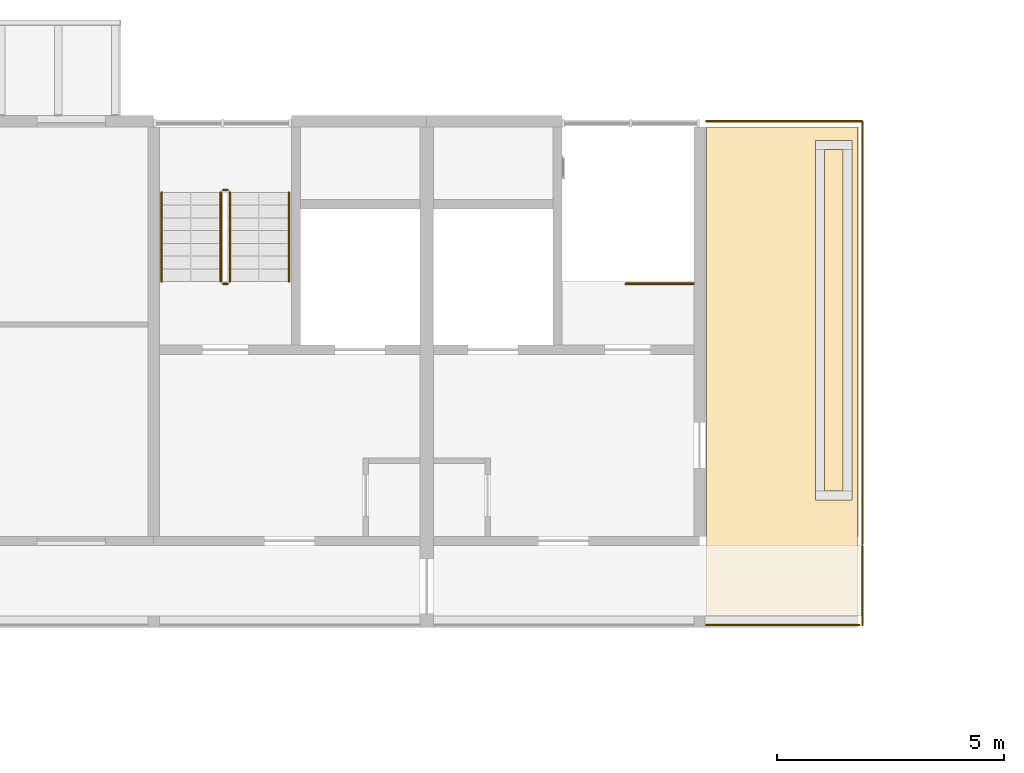
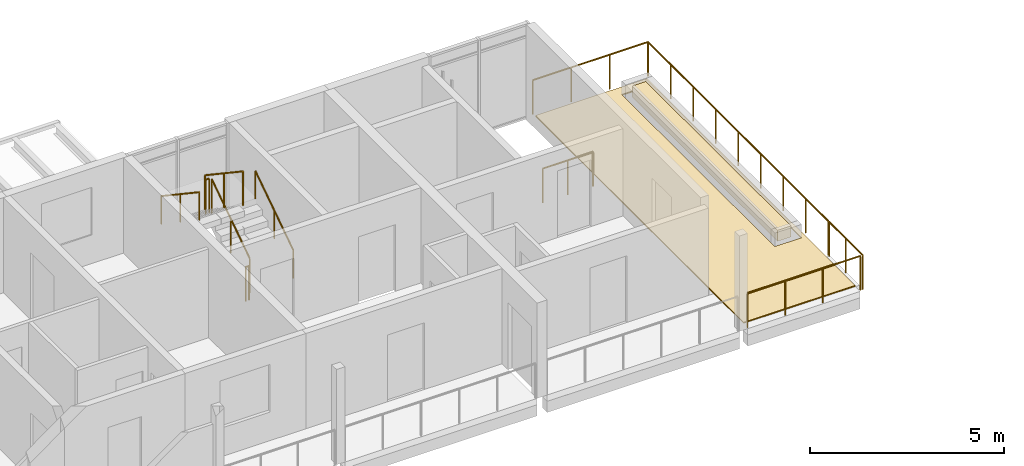
# One storey, part 85 of 87: 10 railings, 3 coverings.
"""IFC4 building model written with IfcOpenShell, lengths in metres."""

from ifc_helpers import new_model, si_unit, direction, frame, origin, origin_2d, place, context, subcontext, project, spatial, polyline, circle, outline, extrude, material, layer, layer_set, type_object, element, save


model = new_model("IFC4")

# Units and contexts
model_context = context("Model", 3, precision=1e-05, world=origin(), true_north=direction((0.0, 1.0)))
body_context = subcontext(model_context, "Body", "Model", "MODEL_VIEW")
ifc_project = project(units=[si_unit("LENGTHUNIT", "METRE"), si_unit("AREAUNIT", "SQUARE_METRE"), si_unit("VOLUMEUNIT", "CUBIC_METRE"), si_unit("PLANEANGLEUNIT", "RADIAN"), si_unit("MASSUNIT", "GRAM", prefix="KILO")], contexts=[model_context])

# Site, building, storey
site_placement = place(None, origin())
site = spatial("IfcSite", under=ifc_project, at=site_placement, CompositionType="ELEMENT")
building_placement = place(site_placement, origin())
building = spatial("IfcBuilding", under=site, at=building_placement, Name="Ridgestep Commons", CompositionType="ELEMENT")
storey_placement = place(building_placement, frame((0.0, 0.0, 27.0)))
storey = spatial("IfcBuildingStorey", under=building, at=storey_placement, Name="L09", CompositionType="ELEMENT", Elevation=27.0)

# Railings
ifc_material_1 = material(Name="Structural steel S355JR", Category="steel")
railing_type_1 = type_object("IfcRailingType", Name="Guard 1100", PredefinedType="GUARDRAIL", material=ifc_material_1)
railing_1_placement = place(storey_placement, frame((240.37890625, 67.821044921875, 0.0)))
element("IfcRailing", 1, at=railing_1_placement, inside=storey, type_object=railing_type_1, Name="Guard TD-C6R3-GD", PredefinedType="GUARDRAIL", context=body_context, shape_type="SweptSolid", body=[
    extrude(circle(Radius=0.02392578125, at=origin_2d()), frame((0.0, 0.0, 1.076171875), z_axis=(0.0, 1.0, 0.0), x_axis=(-1.0, 0.0, 0.0)), (0.0, 0.0, 1.0), 9.303955078125),
    extrude(circle(Radius=0.02392578125, at=origin_2d()), frame((0.0, 9.303955078125, 1.076171875), z_axis=(-1.0, 0.0, 0.0), x_axis=(0.0, -1.0, 0.0)), (0.0, 0.0, 1.0), 3.432861328125),
    extrude(circle(Radius=0.02099609375, at=origin_2d()), origin(), (0.0, 0.0, 1.0), 1.052001953125),
    extrude(circle(Radius=0.02099609375, at=origin_2d()), frame((0.0, 1.1630859375, 0.0)), (0.0, 0.0, 1.0), 1.052001953125),
    extrude(circle(Radius=0.02099609375, at=origin_2d()), frame((0.0, 2.325927734375, 0.0)), (0.0, 0.0, 1.0), 1.052001953125),
    extrude(circle(Radius=0.02099609375, at=origin_2d()), frame((0.0, 3.489013671875, 0.0)), (0.0, 0.0, 1.0), 1.052001953125),
    extrude(circle(Radius=0.02099609375, at=origin_2d()), frame((0.0, 4.65185546875, 0.0)), (0.0, 0.0, 1.0), 1.052001953125),
    extrude(circle(Radius=0.02099609375, at=origin_2d()), frame((0.0, 5.81494140625, 0.0)), (0.0, 0.0, 1.0), 1.052001953125),
    extrude(circle(Radius=0.02099609375, at=origin_2d()), frame((0.0, 6.97802734375, 0.0)), (0.0, 0.0, 1.0), 1.052001953125),
    extrude(circle(Radius=0.02099609375, at=origin_2d()), frame((0.0, 8.140869140625, 0.0)), (0.0, 0.0, 1.0), 1.052001953125),
    extrude(circle(Radius=0.02099609375, at=origin_2d()), frame((0.0, 9.303955078125, 0.0)), (0.0, 0.0, 1.0), 1.052001953125),
    extrude(circle(Radius=0.02099609375, at=origin_2d()), frame((-1.144287109375, 9.303955078125, 0.0)), (0.0, 0.0, 1.0), 1.052001953125),
    extrude(circle(Radius=0.02099609375, at=origin_2d()), frame((-2.28857421875, 9.303955078125, 0.0)), (0.0, 0.0, 1.0), 1.052001953125),
    extrude(circle(Radius=0.02099609375, at=origin_2d()), frame((-3.432861328125, 9.303955078125, 0.0)), (0.0, 0.0, 1.0), 1.052001953125),
])
railing_2_placement = place(storey_placement, frame((236.946044921875, 66.050048828125, 0.0)))
element("IfcRailing", 2, at=railing_2_placement, inside=storey, type_object=railing_type_1, Name="Gallery guard C 09.6", PredefinedType="GUARDRAIL", context=body_context, shape_type="SweptSolid", body=[
    extrude(circle(Radius=0.02392578125, at=origin_2d()), frame((0.0, 0.0, 1.076171875), z_axis=(1.0, 0.0, 0.0), x_axis=(0.0, 1.0, 0.0)), (0.0, 0.0, 1.0), 3.369873046875),
    extrude(circle(Radius=0.02099609375, at=origin_2d()), origin(), (0.0, 0.0, 1.0), 1.052001953125),
    extrude(circle(Radius=0.02099609375, at=origin_2d()), frame((1.123291015625, 0.0, 0.0)), (0.0, 0.0, 1.0), 1.052001953125),
    extrude(circle(Radius=0.02099609375, at=origin_2d()), frame((2.24658203125, 0.0, 0.0)), (0.0, 0.0, 1.0), 1.052001953125),
    extrude(circle(Radius=0.02099609375, at=origin_2d()), frame((3.369873046875, 0.0, 0.0)), (0.0, 0.0, 1.0), 1.052001953125),
])
railing_3_placement = place(storey_placement, frame((240.37890625, 66.050048828125, 0.0)))
element("IfcRailing", 3, at=railing_3_placement, inside=storey, type_object=railing_type_1, Name="Gallery end guard C 09.6E", PredefinedType="GUARDRAIL", context=body_context, shape_type="SweptSolid", body=[
    extrude(circle(Radius=0.02392578125, at=origin_2d()), frame((0.0, 0.0, 1.076171875), z_axis=(0.0, 1.0, 0.0), x_axis=(-1.0, 0.0, 0.0)), (0.0, 0.0, 1.0), 1.72900390625),
    extrude(circle(Radius=0.02099609375, at=origin_2d()), origin(), (0.0, 0.0, 1.0), 1.052001953125),
    extrude(circle(Radius=0.02099609375, at=origin_2d()), frame((0.0, 0.864501953125, 0.0)), (0.0, 0.0, 1.0), 1.052001953125),
    extrude(circle(Radius=0.02099609375, at=origin_2d()), frame((0.0, 1.72900390625, 0.0)), (0.0, 0.0, 1.0), 1.052001953125),
])

# Covering
ifc_material_2 = material(Name="Planting soil")
ifc_layer_1 = layer(ifc_material_2, 0.35009765625)
ifc_layer_set_1 = layer_set([ifc_layer_1], Name="Planting soil 350")
covering_type_1 = type_object("IfcCoveringType", Name="Planting soil 350", PredefinedType="FLOORING", material=ifc_layer_set_1)
covering_1_placement = place(storey_placement, frame((0.0, 0.0, 0.010009765625)))
element("IfcCovering", 4, at=covering_1_placement, inside=storey, type_object=covering_type_1, Name="Planting soil C6R3", PredefinedType="FLOORING", context=body_context, shape_type="SweptSolid", body=[
    extrude(outline(polyline([(239.550048828125, 69.0), (239.949951171875, 69.0), (239.949951171875, 76.5), (239.550048828125, 76.5), (239.550048828125, 69.0)])), origin(), (0.0, 0.0, 1.0), 0.35009765625),
])

# Railings
ifc_material_3 = material(Name="Structural steel S355JR", Category="steel")
railing_type_2 = type_object("IfcRailingType", Name="Stair guard 1100", PredefinedType="GUARDRAIL", material=ifc_material_3)
railing_4_placement = place(storey_placement, frame((226.47509765625, 73.60009765625, 0.1875)))
element("IfcRailing", 5, at=railing_4_placement, inside=storey, type_object=railing_type_2, Name="L09 C5C stair guard 1", PredefinedType="GUARDRAIL", context=body_context, shape_type="SweptSolid", body=[
    extrude(circle(Radius=0.02392578125, at=origin_2d()), frame((0.0, 0.0, 1.076171875), z_axis=(0.0, 0.830902050051, 0.556418712142), x_axis=(-1.0, 0.0, 0.0)), (0.0, 0.0, 1.0), 2.35888671875),
    extrude(circle(Radius=0.02099609375, at=origin_2d()), origin(), (0.0, 0.0, 1.0), 1.052001953125),
    extrude(circle(Radius=0.02099609375, at=origin_2d()), frame((0.0, 0.97998046875, 0.65625)), (0.0, 0.0, 1.0), 1.052001953125),
    extrude(circle(Radius=0.02099609375, at=origin_2d()), frame((0.0, 1.9599609375, 1.3125)), (0.0, 0.0, 1.0), 1.052001953125),
])
railing_5_placement = place(storey_placement, frame((226.425048828125, 75.610107421875, 1.5)))
element("IfcRailing", 6, at=railing_5_placement, inside=storey, type_object=railing_type_2, Name="L09 C5C stair guard 2", PredefinedType="GUARDRAIL", context=body_context, shape_type="SweptSolid", body=[
    extrude(circle(Radius=0.02392578125, at=origin_2d()), frame((0.0, 0.0, 1.076171875), z_axis=(-1.0, 0.0, 0.0), x_axis=(0.0, -1.0, 0.0)), (0.0, 0.0, 1.0), 0.10009765625),
    extrude(circle(Radius=0.02099609375, at=origin_2d()), origin(), (0.0, 0.0, 1.0), 1.052001953125),
    extrude(circle(Radius=0.02099609375, at=origin_2d()), frame((-0.10009765625, 0.0, 0.0)), (0.0, 0.0, 1.0), 1.052001953125),
])
railing_6_placement = place(storey_placement, frame((226.27490234375, 75.56005859375, 1.6875)))
element("IfcRailing", 7, at=railing_6_placement, inside=storey, type_object=railing_type_2, Name="L09 C5C stair guard 3", PredefinedType="GUARDRAIL", context=body_context, shape_type="SweptSolid", body=[
    extrude(circle(Radius=0.02392578125, at=origin_2d()), frame((0.0, 0.0, 1.076171875), z_axis=(0.0, -0.830902050051, 0.556418712142), x_axis=(1.0, 0.0, 0.0)), (0.0, 0.0, 1.0), 2.35888671875),
    extrude(circle(Radius=0.02099609375, at=origin_2d()), origin(), (0.0, 0.0, 1.0), 1.052001953125),
    extrude(circle(Radius=0.02099609375, at=origin_2d()), frame((0.0, -0.97998046875, 0.65625)), (0.0, 0.0, 1.0), 1.052001953125),
    extrude(circle(Radius=0.02099609375, at=origin_2d()), frame((0.0, -1.9599609375, 1.3125)), (0.0, 0.0, 1.0), 1.052001953125),
])
railing_7_placement = place(storey_placement, frame((226.425048828125, 73.550048828125, 0.0)))
element("IfcRailing", 8, at=railing_7_placement, inside=storey, type_object=railing_type_2, Name="L09 C5C stair guard 4", PredefinedType="GUARDRAIL", context=body_context, shape_type="SweptSolid", body=[
    extrude(circle(Radius=0.02392578125, at=origin_2d()), frame((0.0, 0.0, 1.076171875), z_axis=(-1.0, 0.0, 0.0), x_axis=(0.0, -1.0, 0.0)), (0.0, 0.0, 1.0), 0.10009765625),
    extrude(circle(Radius=0.02099609375, at=origin_2d()), origin(), (0.0, 0.0, 1.0), 1.052001953125),
    extrude(circle(Radius=0.02099609375, at=origin_2d()), frame((-0.10009765625, 0.0, 0.0)), (0.0, 0.0, 1.0), 1.052001953125),
])
railing_8_placement = place(storey_placement, frame((236.675048828125, 73.550048828125, 0.0)))
element("IfcRailing", 9, at=railing_8_placement, inside=storey, type_object=railing_type_2, Name="L09 C6C top well guard 1", PredefinedType="GUARDRAIL", context=body_context, shape_type="SweptSolid", body=[
    extrude(circle(Radius=0.02392578125, at=origin_2d()), frame((0.0, 0.0, 1.076171875), z_axis=(-1.0, 0.0, 0.0), x_axis=(0.0, -1.0, 0.0)), (0.0, 0.0, 1.0), 1.5),
    extrude(circle(Radius=0.02099609375, at=origin_2d()), origin(), (0.0, 0.0, 1.0), 1.052001953125),
    extrude(circle(Radius=0.02099609375, at=origin_2d()), frame((-0.75, 0.0, 0.0)), (0.0, 0.0, 1.0), 1.052001953125),
    extrude(circle(Radius=0.02099609375, at=origin_2d()), frame((-1.5, 0.0, 0.0)), (0.0, 0.0, 1.0), 1.052001953125),
])
ifc_material_4 = material(Name="Structural steel S355JR", Category="steel")
railing_type_3 = type_object("IfcRailingType", Name="Stair handrail 900", PredefinedType="HANDRAIL", material=ifc_material_4)
railing_9_placement = place(storey_placement, frame((227.77490234375, 73.60009765625, 0.1875)))
element("IfcRailing", 10, at=railing_9_placement, inside=storey, type_object=railing_type_3, Name="L09 C5C stair handrail 1", PredefinedType="HANDRAIL", context=body_context, shape_type="SweptSolid", body=[
    extrude(circle(Radius=0.02392578125, at=origin_2d()), frame((0.0, 0.0, 0.8759765625), z_axis=(0.0, 0.830902050051, 0.556418712142), x_axis=(-1.0, 0.0, 0.0)), (0.0, 0.0, 1.0), 2.35888671875),
    extrude(circle(Radius=0.02099609375, at=origin_2d()), origin(), (0.0, 0.0, 1.0), 0.851806640625),
    extrude(circle(Radius=0.02099609375, at=origin_2d()), frame((0.0, 0.97998046875, 0.65625)), (0.0, 0.0, 1.0), 0.851806640625),
    extrude(circle(Radius=0.02099609375, at=origin_2d()), frame((0.0, 1.9599609375, 1.3125)), (0.0, 0.0, 1.0), 0.851806640625),
])
railing_10_placement = place(storey_placement, frame((224.97509765625, 75.56005859375, 1.6875)))
element("IfcRailing", 11, at=railing_10_placement, inside=storey, type_object=railing_type_3, Name="L09 C5C stair handrail 2", PredefinedType="HANDRAIL", context=body_context, shape_type="SweptSolid", body=[
    extrude(circle(Radius=0.02392578125, at=origin_2d()), frame((0.0, 0.0, 0.8759765625), z_axis=(0.0, -0.830902050051, 0.556418712142), x_axis=(1.0, 0.0, 0.0)), (0.0, 0.0, 1.0), 2.35888671875),
    extrude(circle(Radius=0.02099609375, at=origin_2d()), origin(), (0.0, 0.0, 1.0), 0.851806640625),
    extrude(circle(Radius=0.02099609375, at=origin_2d()), frame((0.0, -0.97998046875, 0.65625)), (0.0, 0.0, 1.0), 0.851806640625),
    extrude(circle(Radius=0.02099609375, at=origin_2d()), frame((0.0, -1.9599609375, 1.3125)), (0.0, 0.0, 1.0), 0.851806640625),
])

# Coverings
ifc_material_5 = material(Name="Bitumen membrane, two layer")
ifc_layer_2 = layer(ifc_material_5, 0.010009765625)
ifc_layer_set_2 = layer_set([ifc_layer_2], Name="Terrace membrane 10")
covering_type_2 = type_object("IfcCoveringType", Name="Terrace membrane 10", PredefinedType="ROOFING", material=ifc_layer_set_2)
covering_2_placement = place(storey_placement, origin())
element("IfcCovering", 12, at=covering_2_placement, inside=storey, type_object=covering_type_2, Name="Terrace membrane C6R3", PredefinedType="ROOFING", context=body_context, shape_type="SweptSolid", body=[
    extrude(outline(polyline([(240.27490234375, 66.25), (240.27490234375, 77.0), (236.949951171875, 77.0), (236.949951171875, 66.25), (240.27490234375, 66.25)]), holes=[polyline([(240.14990234375, 68.800048828125), (240.14990234375, 76.699951171875), (239.35009765625, 76.699951171875), (239.35009765625, 68.800048828125), (240.14990234375, 68.800048828125)])]), origin(), (0.0, 0.0, 1.0), 0.010009765625),
])
ifc_material_6 = material(Name="Concrete paving slab", Category="concrete")
ifc_layer_3 = layer(ifc_material_6, 0.030029296875)
ifc_layer_set_3 = layer_set([ifc_layer_3], Name="Terrace paving 30")
covering_type_3 = type_object("IfcCoveringType", Name="Terrace paving 30", PredefinedType="FLOORING", material=ifc_layer_set_3)
covering_3_placement = place(storey_placement, frame((0.0, 0.0, 0.010009765625)))
element("IfcCovering", 13, at=covering_3_placement, inside=storey, type_object=covering_type_3, Name="Terrace paving C6R3", PredefinedType="FLOORING", context=body_context, shape_type="SweptSolid", body=[
    extrude(outline(polyline([(240.27490234375, 66.25), (240.27490234375, 77.0), (236.949951171875, 77.0), (236.949951171875, 66.25), (240.27490234375, 66.25)]), holes=[polyline([(240.14990234375, 68.800048828125), (240.14990234375, 76.699951171875), (239.35009765625, 76.699951171875), (239.35009765625, 68.800048828125), (240.14990234375, 68.800048828125)])]), origin(), (0.0, 0.0, 1.0), 0.030029296875),
])

save(model, "model.ifc")
